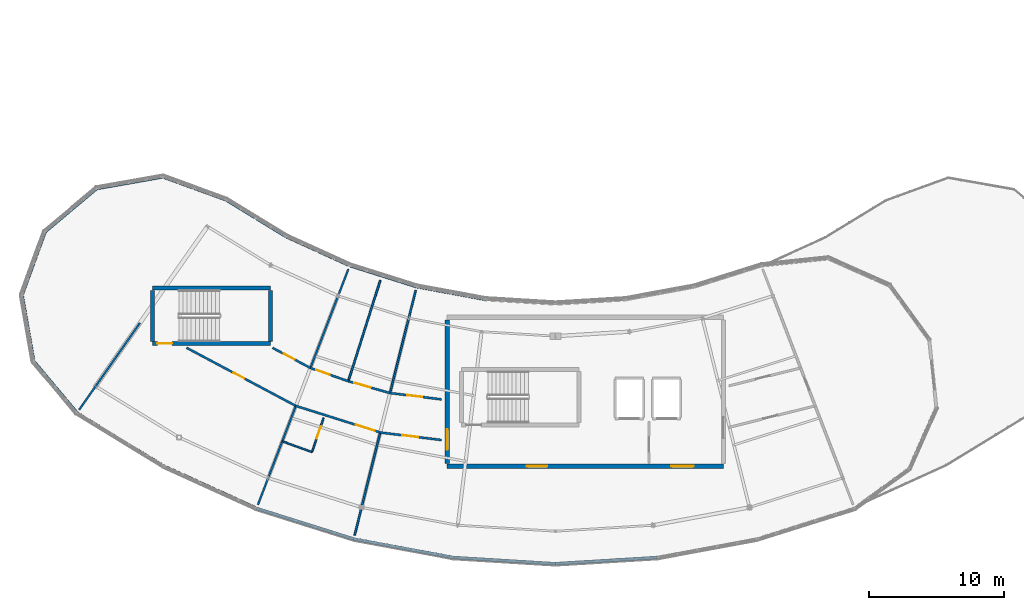
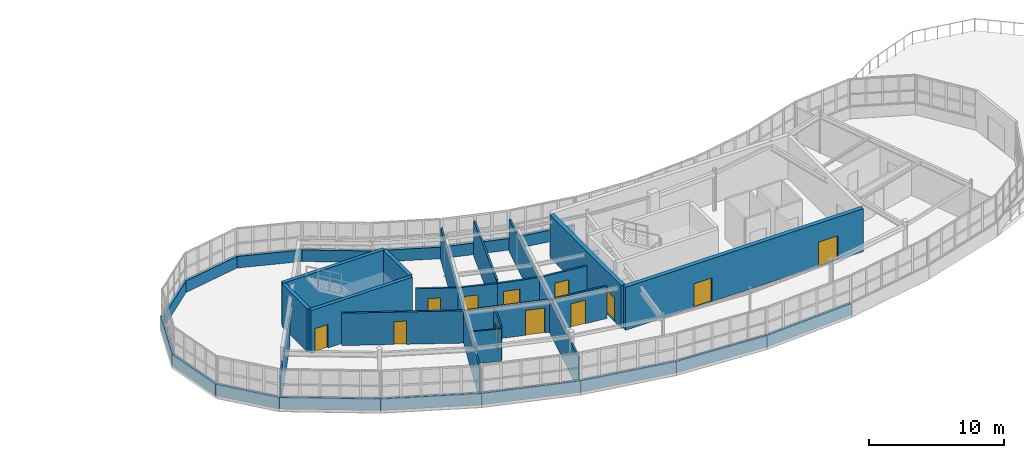
# One storey, part 52 of 65: 37 walls, 12 doors, 12 openings.
"""IFC4 building model written with IfcOpenShell, lengths in metres."""

from ifc_helpers import new_model, si_unit, direction, frame, frame_2d, origin, place, context, subcontext, project, spatial, rectangle, extrude, material, layer, layer_set, type_object, element, fill, save


model = new_model("IFC4")

# Units and contexts
model_context = context("Model", 3, precision=1e-05, world=origin(), true_north=direction((0.0, 1.0)))
body_context = subcontext(model_context, "Body", "Model", "MODEL_VIEW")
ifc_project = project(units=[si_unit("LENGTHUNIT", "METRE"), si_unit("AREAUNIT", "SQUARE_METRE"), si_unit("VOLUMEUNIT", "CUBIC_METRE"), si_unit("PLANEANGLEUNIT", "RADIAN"), si_unit("MASSUNIT", "GRAM", prefix="KILO")], contexts=[model_context])

# Site, building, storey
site_placement = place(None, origin())
site = spatial("IfcSite", under=ifc_project, at=site_placement, CompositionType="ELEMENT")
building_placement = place(site_placement, origin())
building = spatial("IfcBuilding", under=site, at=building_placement, Name="Tarnwether General Hospital", CompositionType="ELEMENT")
storey_placement = place(building_placement, frame((0.0, 0.0, 22.199951171875)))
storey = spatial("IfcBuildingStorey", under=building, at=storey_placement, Name="L05", CompositionType="ELEMENT", Elevation=22.199951171875)

# Walls
ifc_material_1 = material(Name="Streamlined white enamelled aluminium", Category="aluminium")
ifc_layer_1 = layer(ifc_material_1, 0.219970703125)
ifc_layer_set_1 = layer_set([ifc_layer_1], Name="Streamlined white enamelled aluminium")
wall_type_1 = type_object("IfcWallType", Name="WL-EX220", PredefinedType="STANDARD", material=ifc_layer_set_1)
wall_1_placement = place(storey_placement, frame((63.0810546875, 8.610107421875, 0.0), z_axis=(0.0, 0.0, 1.0), x_axis=(-0.852640903338, 0.522497358803, 0.0)))
element("IfcWall", 1, at=wall_1_placement, inside=storey, type_object=wall_type_1, Name="Ward SE Streamlined White Spandrel EW-L05-0219", PredefinedType="STANDARD", context=body_context, shape_type="SweptSolid", body=[
    extrude(rectangle(XDim=7.521484375, YDim=0.219970703125, at=frame_2d((3.7607421875, 0.0))), origin(), (0.0, 0.0, 1.0), 1.050048828125),
])
wall_2_placement = place(storey_placement, frame((69.925048828125, 5.490966796875, 0.0), z_axis=(0.0, 0.0, 1.0), x_axis=(-0.909953604353, 0.414710064895, 0.0)))
element("IfcWall", 2, at=wall_2_placement, inside=storey, type_object=wall_type_1, Name="Ward SE Streamlined White Spandrel EW-L05-0220", PredefinedType="STANDARD", context=body_context, shape_type="SweptSolid", body=[
    extrude(rectangle(XDim=7.521240234375, YDim=0.219970703125, at=frame_2d((3.7607421875, 0.0))), origin(), (0.0, 0.0, 1.0), 1.050048828125),
])
wall_3_placement = place(storey_placement, frame((77.097900390625, 3.22998046875, 0.0), z_axis=(0.0, 0.0, 1.0), x_axis=(-0.953740021466, 0.300632618747, 0.0)))
element("IfcWall", 3, at=wall_3_placement, inside=storey, type_object=wall_type_1, Name="Ward SE Streamlined White Spandrel EW-L05-0221", PredefinedType="STANDARD", context=body_context, shape_type="SweptSolid", body=[
    extrude(rectangle(XDim=7.520751953125, YDim=0.219970703125, at=frame_2d((3.76025390625, 0.0))), origin(), (0.0, 0.0, 1.0), 1.050048828125),
])
for number, where, z_axis, x_axis, name in (
    (4, (84.492919921875, 1.85888671875, 0.0), (0.0, 0.0, 1.0), (-0.983242805192, 0.18230081195, 0.0), "Ward SE Streamlined White Spandrel EW-L05-0222"),
    (5, (92.0, 1.39990234375, 0.0), (0.0, 0.0, 1.0), (-0.99813616181, 0.061026244242, 0.0), "Ward SE Streamlined White Spandrel EW-L05-0223"),
    (6, (99.507080078125, 1.85888671875, 0.0), (0.0, 0.0, 1.0), (-0.99813616181, -0.061026244242, 0.0), "Ward SE Streamlined White Spandrel EW-L05-0224"),
):
    element("IfcWall", number, at=place(storey_placement, frame(where, z_axis=z_axis, x_axis=x_axis)), inside=storey, type_object=wall_type_1, Name=name, PredefinedType="STANDARD", context=body_context, shape_type="SweptSolid", body=[
        extrude(rectangle(XDim=7.52099609375, YDim=0.219970703125, at=frame_2d((3.760498046875, 0.0))), origin(), (0.0, 0.0, 1.0), 1.050048828125),
    ])
wall_4_placement = place(storey_placement, frame((81.742919921875, 21.85888671875, 0.0), z_axis=(0.0, 0.0, 1.0), x_axis=(0.98327293422, -0.182138235501, 0.0)))
element("IfcWall", 7, at=wall_4_placement, inside=storey, type_object=wall_type_1, Name="Ward SE Streamlined White Spandrel EW-L05-0237", PredefinedType="STANDARD", context=body_context, shape_type="SweptSolid", body=[
    extrude(rectangle(XDim=5.1767578125, YDim=0.219970703125, at=frame_2d((2.58837890625, 0.0))), origin(), (0.0, 0.0, 1.0), 1.050048828125),
])
wall_5_placement = place(storey_placement, frame((76.804931640625, 23.416015625, 0.0), z_axis=(0.0, 0.0, 1.0), x_axis=(0.953706582316, -0.300738681994, 0.0)))
element("IfcWall", 8, at=wall_5_placement, inside=storey, type_object=wall_type_1, Name="Ward SE Streamlined White Spandrel EW-L05-0238", PredefinedType="STANDARD", context=body_context, shape_type="SweptSolid", body=[
    extrude(rectangle(XDim=5.177734375, YDim=0.219970703125, at=frame_2d((2.5888671875, 0.0))), origin(), (0.0, 0.0, 1.0), 1.050048828125),
])
for number, where, z_axis, x_axis, name in (
    (9, (72.093994140625, 25.56298828125, 0.0), (0.0, 0.0, 1.0), (0.909955822384, -0.414705198074, 0.0), "Ward SE Streamlined White Spandrel EW-L05-0239"),
    (10, (67.679931640625, 28.26806640625, 0.0), (0.0, 0.0, 1.0), (0.852628362135, -0.522517823698, 0.0), "Ward SE Streamlined White Spandrel EW-L05-0240"),
):
    element("IfcWall", number, at=place(storey_placement, frame(where, z_axis=z_axis, x_axis=x_axis)), inside=storey, type_object=wall_type_1, Name=name, PredefinedType="STANDARD", context=body_context, shape_type="SweptSolid", body=[
        extrude(rectangle(XDim=5.177001953125, YDim=0.219970703125, at=frame_2d((2.58837890625, 0.0))), origin(), (0.0, 0.0, 1.0), 1.050048828125),
    ])
wall_6_placement = place(storey_placement, frame((63.010986328125, 29.968017578125, 0.0), z_axis=(0.0, 0.0, 1.0), x_axis=(0.939654190044, -0.34212571247, 0.0)))
element("IfcWall", 11, at=wall_6_placement, inside=storey, type_object=wall_type_1, Name="Ward SE Streamlined White Spandrel EW-L05-0241", PredefinedType="STANDARD", context=body_context, shape_type="SweptSolid", body=[
    extrude(rectangle(XDim=4.96875, YDim=0.219970703125, at=frame_2d((2.484375, 0.0))), origin(), (0.0, 0.0, 1.0), 1.050048828125),
])
wall_7_placement = place(storey_placement, frame((58.116943359375, 29.10498046875, 0.0), z_axis=(0.0, 0.0, 1.0), x_axis=(0.984804817938, 0.173664822479, 0.0)))
element("IfcWall", 12, at=wall_7_placement, inside=storey, type_object=wall_type_1, Name="Ward SE Streamlined White Spandrel EW-L05-0242", PredefinedType="STANDARD", context=body_context, shape_type="SweptSolid", body=[
    extrude(rectangle(XDim=4.969482421875, YDim=0.219970703125, at=frame_2d((2.48486328125, 0.0))), origin(), (0.0, 0.0, 1.0), 1.050048828125),
])
wall_8_placement = place(storey_placement, frame((54.31005859375, 25.909912109375, 0.0), z_axis=(0.0, 0.0, 1.0), x_axis=(0.765973821879, 0.642871763415, 0.0)))
element("IfcWall", 13, at=wall_8_placement, inside=storey, type_object=wall_type_1, Name="Ward SE Streamlined White Spandrel EW-L05-0243", PredefinedType="STANDARD", context=body_context, shape_type="SweptSolid", body=[
    extrude(rectangle(XDim=4.969970703125, YDim=0.219970703125, at=frame_2d((2.48486328125, 0.0))), origin(), (0.0, 0.0, 1.0), 1.050048828125),
])
wall_9_placement = place(storey_placement, frame((52.611083984375, 21.240966796875, 0.0), z_axis=(0.0, 0.0, 1.0), x_axis=(0.341952160632, 0.939717361678, 0.0)))
element("IfcWall", 14, at=wall_9_placement, inside=storey, type_object=wall_type_1, Name="Ward SE Streamlined White Spandrel EW-L05-0244", PredefinedType="STANDARD", context=body_context, shape_type="SweptSolid", body=[
    extrude(rectangle(XDim=4.968505859375, YDim=0.219970703125, at=frame_2d((2.484375, 0.0))), origin(), (0.0, 0.0, 1.0), 1.050048828125),
])
wall_10_placement = place(storey_placement, frame((53.472900390625, 16.346923828125, 0.0), z_axis=(0.0, 0.0, 1.0), x_axis=(-0.173426579259, 0.984846801085, 0.0)))
element("IfcWall", 15, at=wall_10_placement, inside=storey, type_object=wall_type_1, Name="Ward SE Streamlined White Spandrel EW-L05-0245", PredefinedType="STANDARD", context=body_context, shape_type="SweptSolid", body=[
    extrude(rectangle(XDim=4.96923828125, YDim=0.219970703125, at=frame_2d((2.484619140625, 0.0))), origin(), (0.0, 0.0, 1.0), 1.050048828125),
])
wall_11_placement = place(storey_placement, frame((56.66796875, 12.5400390625, 0.0), z_axis=(0.0, 0.0, 1.0), x_axis=(-0.642871763415, 0.765973821879, 0.0)))
element("IfcWall", 16, at=wall_11_placement, inside=storey, type_object=wall_type_1, Name="Ward SE Streamlined White Spandrel EW-L05-0246", PredefinedType="STANDARD", context=body_context, shape_type="SweptSolid", body=[
    extrude(rectangle(XDim=4.969970703125, YDim=0.219970703125, at=frame_2d((2.48486328125, 0.0))), origin(), (0.0, 0.0, 1.0), 1.050048828125),
])

# Wall, opening, door
ifc_material_2 = material(Name="Gypsum plasterboard")
ifc_layer_2 = layer(ifc_material_2, 0.1201171875)
ifc_layer_set_2 = layer_set([ifc_layer_2], Name="Gypsum plasterboard")
wall_type_2 = type_object("IfcWallType", Name="WL-PT120", PredefinedType="PARTITIONING", material=ifc_layer_set_2)
wall_12_placement = place(storey_placement, frame((74.873046875, 12.16796875, 0.0), z_axis=(0.0, 0.0, 1.0), x_axis=(-0.319199781595, -0.947687448176, 0.0)))
wall_12 = element("IfcWall", 17, at=wall_12_placement, inside=storey, type_object=wall_type_2, Name="Interior Partition PT-L05-0455", PredefinedType="PARTITIONING", context=body_context, shape_type="SweptSolid", body=[
    extrude(rectangle(XDim=2.66015625, YDim=0.1201171875, at=frame_2d((1.330078125, 0.0))), origin(), (0.0, 0.0, 1.0), 3.18896484375),
])
opening_1_placement = place(wall_12_placement, frame((0.64990234375, 0.0, 0.0)))
opening_1 = element("IfcOpeningElement", 18, at=opening_1_placement, cuts=wall_12, Name="Opening D-10", PredefinedType="OPENING", context=body_context, shape_type="SweptSolid", body=[
    extrude(rectangle(XDim=0.9599609375, YDim=2.06005859375, at=frame_2d((0.47998046875, 1.030029296875))), frame((0.0, 0.070068359375, 0.0), z_axis=(0.0, -1.0, 0.0), x_axis=(1.0, 0.0, 0.0)), (0.0, 0.0, 1.0), 0.14013671875),
])
ifc_material_3 = material(Name="Anodised aluminium", Category="aluminium")
door_type_1 = type_object("IfcDoorType", Name="DR-IN10", OperationType="NOTDEFINED", PredefinedType="DOOR", material=ifc_material_3)
door_1_placement = place(opening_1_placement, origin())
door_1 = element("IfcDoor", 19, at=door_1_placement, inside=storey, type_object=door_type_1, Name="Interior Door DR-L05-0252", OperationType="SINGLE_SWING_RIGHT", OverallHeight=2.06005859375, OverallWidth=0.9599609375, PredefinedType="DOOR", context=body_context, shape_type="SweptSolid", body=[
    extrude(rectangle(XDim=0.9599609375, YDim=2.06005859375, at=frame_2d((0.47998046875, 1.030029296875))), frame((0.0, 0.02490234375, 0.0), z_axis=(0.0, -1.0, 0.0), x_axis=(1.0, 0.0, 0.0)), (0.0, 0.0, 1.0), 0.050048828125),
])
fill(opening_1, door_1)

# Walls
wall_13_placement = place(storey_placement, frame((71.823974609375, 10.43896484375, 0.0), z_axis=(0.0, 0.0, 1.0), x_axis=(0.940886080788, -0.338723165695, 0.0)))
element("IfcWall", 20, at=wall_13_placement, inside=storey, type_object=wall_type_2, Name="Interior Partition PT-L05-0456", PredefinedType="PARTITIONING", context=body_context, shape_type="SweptSolid", body=[
    extrude(rectangle(XDim=2.338134765625, YDim=0.1201171875, at=frame_2d((1.1689453125, 0.0))), origin(), (0.0, 0.0, 1.0), 2.93310546875),
])
ifc_material_4 = material(Name="Gypsum plasterboard")
ifc_layer_3 = layer(ifc_material_4, 0.139892578125)
ifc_layer_set_3 = layer_set([ifc_layer_3], Name="Gypsum plasterboard")
wall_type_3 = type_object("IfcWallType", Name="WL-PT140", PredefinedType="PARTITIONING", material=ifc_layer_set_3)
wall_14_placement = place(storey_placement, frame((72.826904296875, 13.052978515625, 0.0), z_axis=(0.0, 0.0, 1.0), x_axis=(-0.358342954102, -0.933590020965, 0.0)))
element("IfcWall", 21, at=wall_14_placement, inside=storey, type_object=wall_type_3, Name="Interior Partition PT-L05-0452", PredefinedType="PARTITIONING", context=body_context, shape_type="SweptSolid", body=[
    extrude(rectangle(XDim=7.8193359375, YDim=0.139892578125, at=frame_2d((3.90966796875, 0.0))), origin(), (0.0, 0.0, 1.0), 2.93310546875),
])
wall_15_placement = place(storey_placement, frame((73.902099609375, 15.85400390625, 0.0), z_axis=(0.0, 0.0, 1.0), x_axis=(0.358410014332, 0.933564278251, 0.0)))
element("IfcWall", 22, at=wall_15_placement, inside=storey, type_object=wall_type_3, Name="Interior Partition PT-L05-0454", PredefinedType="PARTITIONING", context=body_context, shape_type="SweptSolid", body=[
    extrude(rectangle(XDim=7.820556640625, YDim=0.139892578125, at=frame_2d((3.91015625, 0.0))), origin(), (0.0, 0.0, 1.0), 2.93310546875),
])
wall_16_placement = place(storey_placement, frame((79.056884765625, 11.089111328125, 0.0), z_axis=(0.0, 0.0, 1.0), x_axis=(-0.241911207257, -0.970298391117, 0.0)))
element("IfcWall", 23, at=wall_16_placement, inside=storey, type_object=wall_type_3, Name="Interior Partition PT-L05-0458", PredefinedType="PARTITIONING", context=body_context, shape_type="SweptSolid", body=[
    extrude(rectangle(XDim=7.8203125, YDim=0.139892578125, at=frame_2d((3.91015625, 0.0))), origin(), (0.0, 0.0, 1.0), 2.93798828125),
])
wall_17_placement = place(storey_placement, frame((76.697021484375, 14.875, 0.0), z_axis=(0.0, 0.0, 1.0), x_axis=(0.302952343331, 0.95300570705, 0.0)))
element("IfcWall", 24, at=wall_17_placement, inside=storey, type_object=wall_type_3, Name="Interior Partition PT-L05-0459", PredefinedType="PARTITIONING", context=body_context, shape_type="SweptSolid", body=[
    extrude(rectangle(XDim=7.8193359375, YDim=0.139892578125, at=frame_2d((3.90966796875, 0.0))), origin(), (0.0, 0.0, 1.0), 3.240966796875),
])
wall_18_placement = place(storey_placement, frame((79.782958984375, 14.0, 0.0), z_axis=(0.0, 0.0, 1.0), x_axis=(0.241947927131, 0.970289235515, 0.0)))
element("IfcWall", 25, at=wall_18_placement, inside=storey, type_object=wall_type_3, Name="Interior Partition PT-L05-0462", PredefinedType="PARTITIONING", context=body_context, shape_type="SweptSolid", body=[
    extrude(rectangle(XDim=7.8203125, YDim=0.139892578125, at=frame_2d((3.91015625, 0.0))), origin(), (0.0, 0.0, 1.0), 2.93798828125),
])
wall_19_placement = place(storey_placement, frame((61.31396484375, 19.175048828125, 0.0), z_axis=(0.0, 0.0, 1.0), x_axis=(-0.573682336084, -0.819077882295, 0.0)))
element("IfcWall", 26, at=wall_19_placement, inside=storey, type_object=wall_type_3, Name="Interior Partition PT-L05-0469", PredefinedType="PARTITIONING", context=body_context, shape_type="SweptSolid", body=[
    extrude(rectangle(XDim=7.81982421875, YDim=0.139892578125, at=frame_2d((3.909912109375, 0.0))), origin(), (0.0, 0.0, 1.0), 2.64501953125),
])

# Wall, opening, door
ifc_material_5 = material(Name="Gypsum plasterboard")
ifc_layer_4 = layer(ifc_material_5, 0.159912109375)
ifc_layer_set_4 = layer_set([ifc_layer_4], Name="Gypsum plasterboard")
wall_type_4 = type_object("IfcWallType", Name="WL-PT160", PredefinedType="PARTITIONING", material=ifc_layer_set_4)
wall_20_placement = place(storey_placement, frame((64.764892578125, 17.340087890625, 0.0), z_axis=(0.0, 0.0, 1.0), x_axis=(0.882926631997, -0.469510982311, 0.0)))
wall_20 = element("IfcWall", 27, at=wall_20_placement, inside=storey, type_object=wall_type_4, Name="Interior Partition PT-L05-0451", PredefinedType="PARTITIONING", context=body_context, shape_type="SweptSolid", body=[
    extrude(rectangle(XDim=9.131103515625, YDim=0.159912109375, at=frame_2d((4.5654296875, 0.0))), origin(), (0.0, 0.0, 1.0), 2.93310546875),
])
opening_2_placement = place(wall_20_placement, frame((3.916015625, 0.0, 0.0)))
opening_2 = element("IfcOpeningElement", 28, at=opening_2_placement, cuts=wall_20, Name="Opening D-11", PredefinedType="OPENING", context=body_context, shape_type="SweptSolid", body=[
    extrude(rectangle(XDim=0.89990234375, YDim=2.10009765625, at=frame_2d((0.449951171875, 1.050048828125))), frame((0.0, 0.08984375, 0.0), z_axis=(0.0, -1.0, 0.0), x_axis=(1.0, 0.0, 0.0)), (0.0, 0.0, 1.0), 0.179931640625),
])
ifc_material_6 = material(Name="Anodised aluminium", Category="aluminium")
door_type_2 = type_object("IfcDoorType", Name="DR-IN11", OperationType="NOTDEFINED", PredefinedType="DOOR", material=ifc_material_6)
door_2_placement = place(opening_2_placement, origin())
door_2 = element("IfcDoor", 29, at=door_2_placement, inside=storey, type_object=door_type_2, Name="Interior Door DR-L05-0250", OperationType="SINGLE_SWING_RIGHT", OverallHeight=2.10009765625, OverallWidth=0.89990234375, PredefinedType="DOOR", context=body_context, shape_type="SweptSolid", body=[
    extrude(rectangle(XDim=0.89990234375, YDim=2.10009765625, at=frame_2d((0.449951171875, 1.050048828125))), frame((0.0, 0.02490234375, 0.0), z_axis=(0.0, -1.0, 0.0), x_axis=(1.0, 0.0, 0.0)), (0.0, 0.0, 1.0), 0.050048828125),
])
fill(opening_2, door_2)

wall_21_placement = place(storey_placement, frame((71.10693359375, 17.340087890625, 0.0), z_axis=(0.0, 0.0, 1.0), x_axis=(0.882964896182, -0.469439018522, 0.0)))
wall_21 = element("IfcWall", 30, at=wall_21_placement, inside=storey, type_object=wall_type_4, Name="Interior Partition PT-L05-0453", PredefinedType="PARTITIONING", context=body_context, shape_type="SweptSolid", body=[
    extrude(rectangle(XDim=3.165771484375, YDim=0.159912109375, at=frame_2d((1.5830078125, 0.0))), origin(), (0.0, 0.0, 1.0), 2.93310546875),
])
opening_3_placement = place(wall_21_placement, frame((0.93310546875, 0.0, 0.0)))
opening_3 = element("IfcOpeningElement", 31, at=opening_3_placement, cuts=wall_21, Name="Opening D-12", PredefinedType="OPENING", context=body_context, shape_type="SweptSolid", body=[
    extrude(rectangle(XDim=0.919921875, YDim=2.0400390625, at=frame_2d((0.4599609375, 1.02001953125))), frame((0.0, 0.08984375, 0.0), z_axis=(0.0, -1.0, 0.0), x_axis=(1.0, 0.0, 0.0)), (0.0, 0.0, 1.0), 0.179931640625),
])
ifc_material_7 = material(Name="Anodised aluminium", Category="aluminium")
door_type_3 = type_object("IfcDoorType", Name="DR-IN12", OperationType="NOTDEFINED", PredefinedType="DOOR", material=ifc_material_7)
door_3_placement = place(opening_3_placement, origin())
door_3 = element("IfcDoor", 32, at=door_3_placement, inside=storey, type_object=door_type_3, Name="Interior Door DR-L05-0251", OperationType="SINGLE_SWING_LEFT", OverallHeight=2.0400390625, OverallWidth=0.919921875, PredefinedType="DOOR", context=body_context, shape_type="SweptSolid", body=[
    extrude(rectangle(XDim=0.919921875, YDim=2.0400390625, at=frame_2d((0.4599609375, 1.02001953125))), frame((0.0, 0.02490234375, 0.0), z_axis=(0.0, -1.0, 0.0), x_axis=(1.0, 0.0, 0.0)), (0.0, 0.0, 1.0), 0.050048828125),
])
fill(opening_3, door_3)

wall_22_placement = place(storey_placement, frame((72.826904296875, 13.052978515625, 0.0), z_axis=(0.0, 0.0, 1.0), x_axis=(0.953736183483, -0.30064479426, 0.0)))
wall_22 = element("IfcWall", 33, at=wall_22_placement, inside=storey, type_object=wall_type_4, Name="Interior Partition PT-L05-0457", PredefinedType="PARTITIONING", context=body_context, shape_type="SweptSolid", body=[
    extrude(rectangle(XDim=6.5322265625, YDim=0.159912109375, at=frame_2d((3.26611328125, 0.0))), origin(), (0.0, 0.0, 1.0), 2.93310546875),
])
opening_4_placement = place(wall_22_placement, frame((4.632080078125, 0.0, 0.0)))
opening_4 = element("IfcOpeningElement", 34, at=opening_4_placement, cuts=wall_22, Name="Opening SD-03", PredefinedType="OPENING", context=body_context, shape_type="SweptSolid", body=[
    extrude(rectangle(XDim=1.47998046875, YDim=2.260009765625, at=frame_2d((0.739990234375, 1.1298828125))), frame((0.0, 0.08984375, 0.0), z_axis=(0.0, -1.0, 0.0), x_axis=(1.0, 0.0, 0.0)), (0.0, 0.0, 1.0), 0.179931640625),
])
ifc_material_8 = material(Name="Anodised aluminium", Category="aluminium")
door_type_4 = type_object("IfcDoorType", Name="DR-OR03", OperationType="NOTDEFINED", PredefinedType="DOOR", material=ifc_material_8)
door_4_placement = place(opening_4_placement, origin())
door_4 = element("IfcDoor", 35, at=door_4_placement, inside=storey, type_object=door_type_4, Name="Interior Door DR-L05-0253", OperationType="SLIDING_TO_LEFT", OverallHeight=2.260009765625, OverallWidth=1.47998046875, PredefinedType="DOOR", context=body_context, shape_type="SweptSolid", body=[
    extrude(rectangle(XDim=1.47998046875, YDim=2.260009765625, at=frame_2d((0.739990234375, 1.1298828125))), frame((0.0, 0.02490234375, 0.0), z_axis=(0.0, -1.0, 0.0), x_axis=(1.0, 0.0, 0.0)), (0.0, 0.0, 1.0), 0.050048828125),
])
fill(opening_4, door_4)

wall_23_placement = place(storey_placement, frame((73.902099609375, 15.85400390625, 0.0), z_axis=(0.0, 0.0, 1.0), x_axis=(0.943776070457, -0.330585433485, 0.0)))
wall_23 = element("IfcWall", 36, at=wall_23_placement, inside=storey, type_object=wall_type_4, Name="Interior Partition PT-L05-0460", PredefinedType="PARTITIONING", context=body_context, shape_type="SweptSolid", body=[
    extrude(rectangle(XDim=2.96142578125, YDim=0.159912109375, at=frame_2d((1.480712890625, 0.0))), origin(), (0.0, 0.0, 1.0), 2.93310546875),
])
opening_5_placement = place(wall_23_placement, frame((0.449951171875, 0.0, 0.0)))
opening_5 = element("IfcOpeningElement", 37, at=opening_5_placement, cuts=wall_23, Name="Opening D-08", PredefinedType="OPENING", context=body_context, shape_type="SweptSolid", body=[
    extrude(rectangle(XDim=1.06005859375, YDim=2.10009765625, at=frame_2d((0.530029296875, 1.050048828125))), frame((0.0, 0.08984375, 0.0), z_axis=(0.0, -1.0, 0.0), x_axis=(1.0, 0.0, 0.0)), (0.0, 0.0, 1.0), 0.179931640625),
])
ifc_material_9 = material(Name="Anodised aluminium", Category="aluminium")
door_type_5 = type_object("IfcDoorType", Name="DR-IN08", OperationType="NOTDEFINED", PredefinedType="DOOR", material=ifc_material_9)
door_5_placement = place(opening_5_placement, origin())
door_5 = element("IfcDoor", 38, at=door_5_placement, inside=storey, type_object=door_type_5, Name="Interior Door DR-L05-0254", OperationType="SINGLE_SWING_RIGHT", OverallHeight=2.10009765625, OverallWidth=1.06005859375, PredefinedType="DOOR", context=body_context, shape_type="SweptSolid", body=[
    extrude(rectangle(XDim=1.06005859375, YDim=2.10009765625, at=frame_2d((0.530029296875, 1.050048828125))), frame((0.0, 0.02490234375, 0.0), z_axis=(0.0, -1.0, 0.0), x_axis=(1.0, 0.0, 0.0)), (0.0, 0.0, 1.0), 0.050048828125),
])
fill(opening_5, door_5)

wall_24_placement = place(storey_placement, frame((76.697021484375, 14.875, 0.0), z_axis=(0.0, 0.0, 1.0), x_axis=(0.962073473599, -0.272790453274, 0.0)))
wall_24 = element("IfcWall", 39, at=wall_24_placement, inside=storey, type_object=wall_type_4, Name="Interior Partition PT-L05-0461", PredefinedType="PARTITIONING", context=body_context, shape_type="SweptSolid", body=[
    extrude(rectangle(XDim=3.20751953125, YDim=0.159912109375, at=frame_2d((1.603759765625, 0.0))), origin(), (0.0, 0.0, 1.0), 2.93798828125),
])
opening_6_placement = place(wall_24_placement, frame((0.449951171875, 0.0, 0.0)))
opening_6 = element("IfcOpeningElement", 40, at=opening_6_placement, cuts=wall_24, Name="Opening D-04", PredefinedType="OPENING", context=body_context, shape_type="SweptSolid", body=[
    extrude(rectangle(XDim=1.260009765625, YDim=2.139892578125, at=frame_2d((0.6298828125, 1.06982421875))), frame((0.0, 0.08984375, 0.0), z_axis=(0.0, -1.0, 0.0), x_axis=(1.0, 0.0, 0.0)), (0.0, 0.0, 1.0), 0.179931640625),
])
ifc_material_10 = material(Name="Anodised aluminium", Category="aluminium")
door_type_6 = type_object("IfcDoorType", Name="DR-IN04", OperationType="NOTDEFINED", PredefinedType="DOOR", material=ifc_material_10)
door_6_placement = place(opening_6_placement, origin())
door_6 = element("IfcDoor", 41, at=door_6_placement, inside=storey, type_object=door_type_6, Name="Interior Door DR-L05-0255", OperationType="SINGLE_SWING_LEFT", OverallHeight=2.139892578125, OverallWidth=1.260009765625, PredefinedType="DOOR", context=body_context, shape_type="SweptSolid", body=[
    extrude(rectangle(XDim=1.260009765625, YDim=2.139892578125, at=frame_2d((0.6298828125, 1.06982421875))), frame((0.0, 0.02490234375, 0.0), z_axis=(0.0, -1.0, 0.0), x_axis=(1.0, 0.0, 0.0)), (0.0, 0.0, 1.0), 0.050048828125),
])
fill(opening_6, door_6)

wall_25_placement = place(storey_placement, frame((79.056884765625, 11.089111328125, 0.0), z_axis=(0.0, 0.0, 1.0), x_axis=(0.992532332473, -0.121981838793, 0.0)))
wall_25 = element("IfcWall", 42, at=wall_25_placement, inside=storey, type_object=wall_type_4, Name="Interior Partition PT-L05-0463", PredefinedType="PARTITIONING", context=body_context, shape_type="SweptSolid", body=[
    extrude(rectangle(XDim=4.5673828125, YDim=0.159912109375, at=frame_2d((2.28369140625, 0.0))), origin(), (0.0, 0.0, 1.0), 2.93798828125),
])
opening_7_placement = place(wall_25_placement, frame((1.634033203125, 0.0, 0.0)))
opening_7 = element("IfcOpeningElement", 43, at=opening_7_placement, cuts=wall_25, Name="Opening D-05", PredefinedType="OPENING", context=body_context, shape_type="SweptSolid", body=[
    extrude(rectangle(XDim=1.199951171875, YDim=2.1201171875, at=frame_2d((0.60009765625, 1.06005859375))), frame((0.0, 0.08984375, 0.0), z_axis=(0.0, -1.0, 0.0), x_axis=(1.0, 0.0, 0.0)), (0.0, 0.0, 1.0), 0.179931640625),
])
ifc_material_11 = material(Name="Anodised aluminium", Category="aluminium")
door_type_7 = type_object("IfcDoorType", Name="DR-IN05", OperationType="NOTDEFINED", PredefinedType="DOOR", material=ifc_material_11)
door_7_placement = place(opening_7_placement, origin())
door_7 = element("IfcDoor", 44, at=door_7_placement, inside=storey, type_object=door_type_7, Name="Interior Door DR-L05-0256", OperationType="SINGLE_SWING_RIGHT", OverallHeight=2.1201171875, OverallWidth=1.199951171875, PredefinedType="DOOR", context=body_context, shape_type="SweptSolid", body=[
    extrude(rectangle(XDim=1.199951171875, YDim=2.1201171875, at=frame_2d((0.60009765625, 1.06005859375))), frame((0.0, 0.02490234375, 0.0), z_axis=(0.0, -1.0, 0.0), x_axis=(1.0, 0.0, 0.0)), (0.0, 0.0, 1.0), 0.050048828125),
])
fill(opening_7, door_7)

wall_26_placement = place(storey_placement, frame((79.782958984375, 14.0, 0.0), z_axis=(0.0, 0.0, 1.0), x_axis=(0.992559253302, -0.121762591482, 0.0)))
wall_26 = element("IfcWall", 45, at=wall_26_placement, inside=storey, type_object=wall_type_4, Name="Interior Partition PT-L05-0464", PredefinedType="PARTITIONING", context=body_context, shape_type="SweptSolid", body=[
    extrude(rectangle(XDim=3.835693359375, YDim=0.159912109375, at=frame_2d((1.91796875, 0.0))), origin(), (0.0, 0.0, 1.0), 2.93798828125),
])
opening_8_placement = place(wall_26_placement, frame((1.26806640625, 0.0, 0.0)))
opening_8 = element("IfcOpeningElement", 46, at=opening_8_placement, cuts=wall_26, Name="Opening D-07", PredefinedType="OPENING", context=body_context, shape_type="SweptSolid", body=[
    extrude(rectangle(XDim=1.1201171875, YDim=2.080078125, at=frame_2d((0.56005859375, 1.0400390625))), frame((0.0, 0.08984375, 0.0), z_axis=(0.0, -1.0, 0.0), x_axis=(1.0, 0.0, 0.0)), (0.0, 0.0, 1.0), 0.179931640625),
])
ifc_material_12 = material(Name="Anodised aluminium", Category="aluminium")
door_type_8 = type_object("IfcDoorType", Name="DR-IN07", OperationType="NOTDEFINED", PredefinedType="DOOR", material=ifc_material_12)
door_8_placement = place(opening_8_placement, origin())
door_8 = element("IfcDoor", 47, at=door_8_placement, inside=storey, type_object=door_type_8, Name="Interior Door DR-L05-0257", OperationType="SINGLE_SWING_LEFT", OverallHeight=2.080078125, OverallWidth=1.1201171875, PredefinedType="DOOR", context=body_context, shape_type="SweptSolid", body=[
    extrude(rectangle(XDim=1.1201171875, YDim=2.080078125, at=frame_2d((0.56005859375, 1.0400390625))), frame((0.0, 0.02490234375, 0.0), z_axis=(0.0, -1.0, 0.0), x_axis=(1.0, 0.0, 0.0)), (0.0, 0.0, 1.0), 0.050048828125),
])
fill(opening_8, door_8)

ifc_material_13 = material(Name="Concrete 50 MPa", Category="concrete")
ifc_layer_5 = layer(ifc_material_13, 0.300048828125)
ifc_layer_set_5 = layer_set([ifc_layer_5], Name="Concrete 50 MPa")
wall_type_5 = type_object("IfcWallType", Name="WL-SW300", PredefinedType="SHEAR", material=ifc_layer_set_5)
wall_27_placement = place(storey_placement, frame((62.25, 17.64990234375, 0.0), z_axis=(0.0, 0.0, 1.0), x_axis=(1.0, 0.0, 0.0)))
wall_27 = element("IfcWall", 48, at=wall_27_placement, inside=storey, type_object=wall_type_5, Name="Stairwell Shear Wall STW-ST-09-L05-B", PredefinedType="SHEAR", context=body_context, shape_type="SweptSolid", body=[
    extrude(rectangle(XDim=8.699951171875, YDim=0.300048828125, at=frame_2d((4.35009765625, 0.0))), origin(), (0.0, 0.0, 1.0), 3.900146484375),
])
opening_9_placement = place(wall_27_placement, frame((0.35009765625, 0.0, 0.0)))
opening_9 = element("IfcOpeningElement", 49, at=opening_9_placement, cuts=wall_27, Name="Opening FD-06", PredefinedType="OPENING", context=body_context, shape_type="SweptSolid", body=[
    extrude(rectangle(XDim=1.10009765625, YDim=2.14990234375, at=frame_2d((0.550048828125, 1.074951171875))), frame((0.0, 0.16015625, 0.0), z_axis=(0.0, -1.0, 0.0), x_axis=(1.0, 0.0, 0.0)), (0.0, 0.0, 1.0), 0.320068359375),
])
ifc_material_14 = material(Name="Anodised aluminium", Category="aluminium")
door_type_9 = type_object("IfcDoorType", Name="DR-FD06", OperationType="NOTDEFINED", PredefinedType="DOOR", material=ifc_material_14)
door_9_placement = place(opening_9_placement, origin())
door_9 = element("IfcDoor", 50, at=door_9_placement, inside=storey, type_object=door_type_9, Name="Stairwell ST-09 Safe-Path Fire Door L05", OperationType="SINGLE_SWING_RIGHT", OverallHeight=2.14990234375, OverallWidth=1.10009765625, PredefinedType="DOOR", context=body_context, shape_type="SweptSolid", body=[
    extrude(rectangle(XDim=1.10009765625, YDim=2.14990234375, at=frame_2d((0.550048828125, 1.074951171875))), frame((0.0, 0.02490234375, 0.0), z_axis=(0.0, -1.0, 0.0), x_axis=(1.0, 0.0, 0.0)), (0.0, 0.0, 1.0), 0.050048828125),
])
fill(opening_9, door_9)

# Walls
wall_28_placement = place(storey_placement, frame((70.949951171875, 21.75, 0.0), z_axis=(0.0, 0.0, 1.0), x_axis=(-1.0, 0.0, 0.0)))
element("IfcWall", 51, at=wall_28_placement, inside=storey, type_object=wall_type_5, Name="Stairwell Shear Wall STW-ST-09-L05-N", PredefinedType="SHEAR", context=body_context, shape_type="SweptSolid", body=[
    extrude(rectangle(XDim=8.699951171875, YDim=0.300048828125, at=frame_2d((4.35009765625, 0.0))), origin(), (0.0, 0.0, 1.0), 3.900146484375),
])
for number, where, z_axis, x_axis, name in (
    (52, (62.25, 17.820068359375, 0.0), (0.0, 0.0, 1.0), (0.0, 1.0, 0.0), "Stairwell Shear Wall STW-ST-09-L05-L"),
    (53, (70.949951171875, 17.820068359375, 0.0), (0.0, 0.0, 1.0), (0.0, 1.0, 0.0), "Stairwell Shear Wall STW-ST-09-L05-F"),
):
    element("IfcWall", number, at=place(storey_placement, frame(where, z_axis=z_axis, x_axis=x_axis)), inside=storey, type_object=wall_type_5, Name=name, PredefinedType="SHEAR", context=body_context, shape_type="SweptSolid", body=[
        extrude(rectangle(XDim=3.760009765625, YDim=0.300048828125, at=frame_2d((1.8798828125, 0.0))), origin(), (0.0, 0.0, 1.0), 3.900146484375),
    ])

# Wall, openings, doors
ifc_material_15 = material(Name="Concrete 50 MPa", Category="concrete")
ifc_layer_6 = layer(ifc_material_15, 0.35009765625)
ifc_layer_set_6 = layer_set([ifc_layer_6], Name="Concrete 50 MPa")
wall_type_6 = type_object("IfcWallType", Name="WL-SW350", PredefinedType="SHEAR", material=ifc_layer_set_6)
wall_29_placement = place(storey_placement, frame((104.39990234375, 8.60009765625, 0.0), z_axis=(0.0, 0.0, 1.0), x_axis=(-1.0, 0.0, 0.0)))
wall_29 = element("IfcWall", 54, at=wall_29_placement, inside=storey, type_object=wall_type_6, Name="Core Shear Wall CWALL-K2-L05-S", PredefinedType="SHEAR", context=body_context, shape_type="SweptSolid", body=[
    extrude(rectangle(XDim=20.39990234375, YDim=0.35009765625, at=frame_2d((10.199951171875, 0.0))), origin(), (0.0, 0.0, 1.0), 3.900146484375),
])
opening_10_placement = place(wall_29_placement, frame((2.199951171875, 0.0, 0.0)))
opening_10 = element("IfcOpeningElement", 55, at=opening_10_placement, cuts=wall_29, Name="Opening FD-01", PredefinedType="OPENING", context=body_context, shape_type="SweptSolid", body=[
    extrude(rectangle(XDim=1.639892578125, YDim=2.199951171875, at=frame_2d((0.81982421875, 1.10009765625))), frame((0.0, 0.18505859375, 0.0), z_axis=(0.0, -1.0, 0.0), x_axis=(1.0, 0.0, 0.0)), (0.0, 0.0, 1.0), 0.3701171875),
])
opening_11_placement = place(wall_29_placement, frame((13.0, 0.0, 0.0)))
opening_11 = element("IfcOpeningElement", 56, at=opening_11_placement, cuts=wall_29, Name="Opening FD-02", PredefinedType="OPENING", context=body_context, shape_type="SweptSolid", body=[
    extrude(rectangle(XDim=1.52001953125, YDim=2.159912109375, at=frame_2d((0.760009765625, 1.080078125))), frame((0.0, 0.18505859375, 0.0), z_axis=(0.0, -1.0, 0.0), x_axis=(1.0, 0.0, 0.0)), (0.0, 0.0, 1.0), 0.3701171875),
])
ifc_material_16 = material(Name="Anodised aluminium", Category="aluminium")
door_type_10 = type_object("IfcDoorType", Name="DR-FD01", OperationType="NOTDEFINED", PredefinedType="DOOR", material=ifc_material_16)
door_10_placement = place(opening_10_placement, origin())
door_10 = element("IfcDoor", 57, at=door_10_placement, inside=storey, type_object=door_type_10, Name="Core K2 Lobby Fire Door L05", OperationType="DOUBLE_DOOR_SINGLE_SWING", OverallHeight=2.199951171875, OverallWidth=1.639892578125, PredefinedType="DOOR", context=body_context, shape_type="SweptSolid", body=[
    extrude(rectangle(XDim=1.639892578125, YDim=2.199951171875, at=frame_2d((0.81982421875, 1.10009765625))), frame((0.0, 0.02490234375, 0.0), z_axis=(0.0, -1.0, 0.0), x_axis=(1.0, 0.0, 0.0)), (0.0, 0.0, 1.0), 0.050048828125),
])
fill(opening_10, door_10)
ifc_material_17 = material(Name="Anodised aluminium", Category="aluminium")
door_type_11 = type_object("IfcDoorType", Name="DR-FD02", OperationType="NOTDEFINED", PredefinedType="DOOR", material=ifc_material_17)
door_11_placement = place(opening_11_placement, origin())
door_11 = element("IfcDoor", 58, at=door_11_placement, inside=storey, type_object=door_type_11, Name="Core K2 Firefighting Lobby Door L05", OperationType="SINGLE_SWING_LEFT", OverallHeight=2.159912109375, OverallWidth=1.52001953125, PredefinedType="DOOR", context=body_context, shape_type="SweptSolid", body=[
    extrude(rectangle(XDim=1.52001953125, YDim=2.159912109375, at=frame_2d((0.760009765625, 1.080078125))), frame((0.0, 0.02490234375, 0.0), z_axis=(0.0, -1.0, 0.0), x_axis=(1.0, 0.0, 0.0)), (0.0, 0.0, 1.0), 0.050048828125),
])
fill(opening_11, door_11)

# Wall, opening, door
wall_30_placement = place(storey_placement, frame((84.0, 8.800048828125, 0.0), z_axis=(0.0, 0.0, 1.0), x_axis=(0.0, 1.0, 0.0)))
wall_30 = element("IfcWall", 59, at=wall_30_placement, inside=storey, type_object=wall_type_6, Name="Core Shear Wall CWALL-K2-L05-W", PredefinedType="SHEAR", context=body_context, shape_type="SweptSolid", body=[
    extrude(rectangle(XDim=10.599853515625, YDim=0.35009765625, at=frame_2d((5.2998046875, 0.0))), origin(), (0.0, 0.0, 1.0), 3.900146484375),
])
opening_12_placement = place(wall_30_placement, frame((1.0, 0.0, 0.0)))
opening_12 = element("IfcOpeningElement", 60, at=opening_12_placement, cuts=wall_30, Name="Opening FD-02", PredefinedType="OPENING", context=body_context, shape_type="SweptSolid", body=[
    extrude(rectangle(XDim=1.52001953125, YDim=2.159912109375, at=frame_2d((0.760009765625, 1.080078125))), frame((0.0, 0.18505859375, 0.0), z_axis=(0.0, -1.0, 0.0), x_axis=(1.0, 0.0, 0.0)), (0.0, 0.0, 1.0), 0.3701171875),
])
door_12_placement = place(opening_12_placement, origin())
door_12 = element("IfcDoor", 61, at=door_12_placement, inside=storey, type_object=door_type_11, Name="Core K2 Ward Corridor Fire Door L05", OperationType="SINGLE_SWING_RIGHT", OverallHeight=2.159912109375, OverallWidth=1.52001953125, PredefinedType="DOOR", context=body_context, shape_type="SweptSolid", body=[
    extrude(rectangle(XDim=1.52001953125, YDim=2.159912109375, at=frame_2d((0.760009765625, 1.080078125))), frame((0.0, 0.02490234375, 0.0), z_axis=(0.0, -1.0, 0.0), x_axis=(1.0, 0.0, 0.0)), (0.0, 0.0, 1.0), 0.050048828125),
])
fill(opening_12, door_12)

save(model, "model.ifc")
